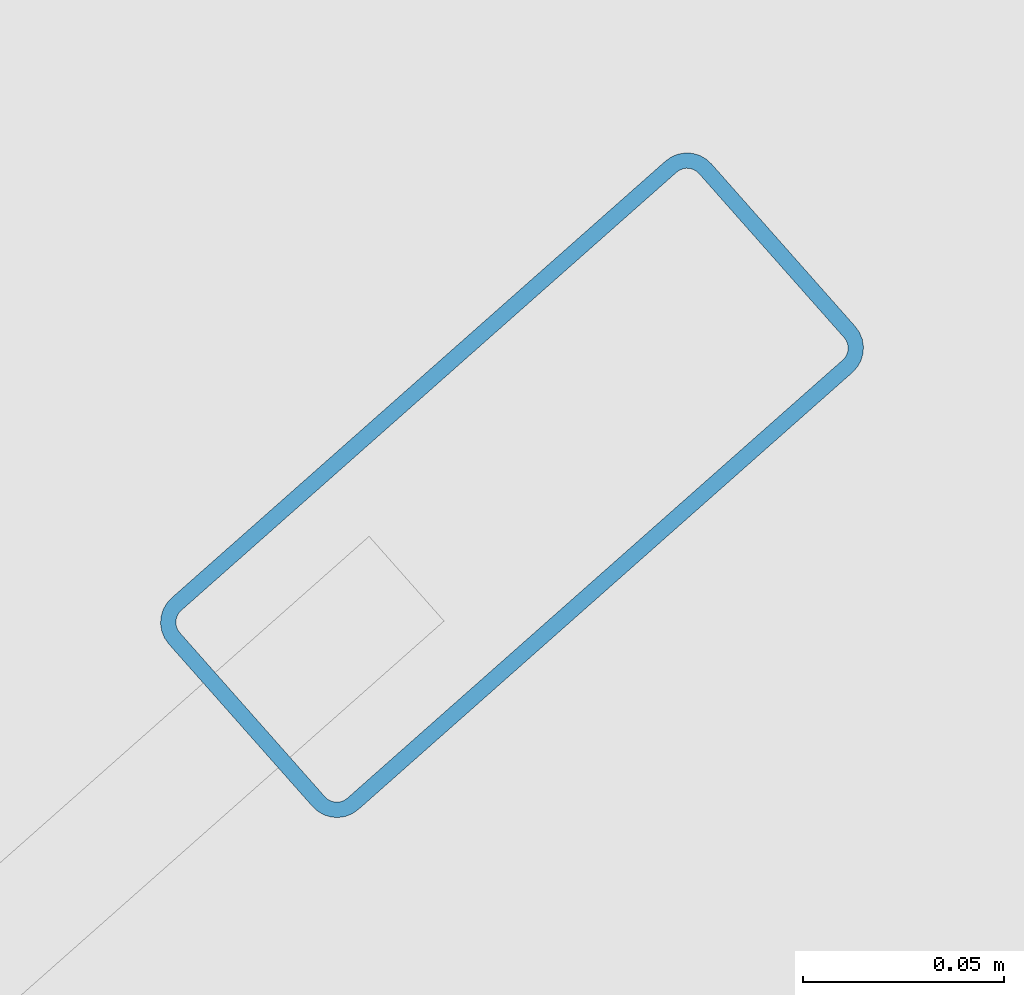
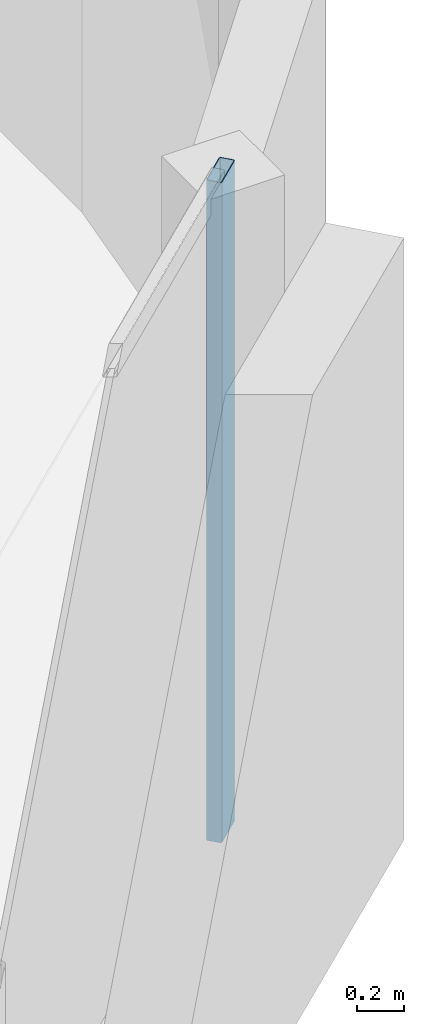
# One storey, part 4 of 17: 1 member, 1 element without a shape of its own.
"""IFC4 building model written with IfcOpenShell, lengths in metres."""

from ifc_helpers import new_model, si_unit, direction, frame, origin, origin_2d, place, context, subcontext, project, spatial, hollow_rectangle, extrude, material, layer, layer_set, material_profile, profile_set, type_object, element, aggregate, save


model = new_model("IFC4")

# Units and contexts
model_context = context("Model", 3, precision=1e-05, world=origin(), true_north=direction((0.0, 1.0)))
body_context = subcontext(model_context, "Body", "Model", "MODEL_VIEW")
ifc_project = project(units=[si_unit("LENGTHUNIT", "METRE"), si_unit("AREAUNIT", "SQUARE_METRE"), si_unit("VOLUMEUNIT", "CUBIC_METRE"), si_unit("PLANEANGLEUNIT", "RADIAN"), si_unit("MASSUNIT", "GRAM", prefix="KILO")], contexts=[model_context])

# Site, building, storey
site_placement = place(None, origin())
site = spatial("IfcSite", under=ifc_project, at=site_placement, CompositionType="ELEMENT")
building_placement = place(site_placement, origin())
building = spatial("IfcBuilding", under=site, at=building_placement, Name="An Khanh Terracotta Commons", CompositionType="ELEMENT")
storey_placement = place(building_placement, frame((0.0, 0.0, 36.0)))
storey = spatial("IfcBuildingStorey", under=building, at=storey_placement, Name="L09", CompositionType="ELEMENT", Elevation=36.0)

# Curtain wall, member
ifc_material = material(Name="Anodised Aluminium 6063-T6", Category="aluminium")
ifc_layer = layer(ifc_material, 0.199951171875, Name="Anodised Aluminium 6063-T6")
ifc_layer_set = layer_set([ifc_layer], Name="Anodised Aluminium 6063-T6")
curtain_wall_type = type_object("IfcCurtainWallType", Name="CW-SYS-02", PredefinedType="USERDEFINED", material=ifc_layer_set)
curtain_wall_placement = place(storey_placement, origin())
curtain_wall = element("IfcCurtainWall", 1, at=curtain_wall_placement, inside=storey, type_object=curtain_wall_type, Name="L09 CW-02 Unitised Curtain Wall CW-L09-08", ObjectType="UNITISED CURTAIN WALL", PredefinedType="USERDEFINED")
ifc_material_profile = material_profile(ifc_material, hollow_rectangle(XDim=0.070068359375, YDim=0.179931640625, WallThickness=0.00390625, InnerFilletRadius=0.00390625, OuterFilletRadius=0.008056640625, at=origin_2d()), Name="RHS180x70x4")
ifc_profile_set = profile_set([ifc_material_profile], Name="Anodised Aluminium 6063-T6")
member_type = type_object("IfcMemberType", Name="CWM-RHS180x70x4", PredefinedType="MULLION", material=ifc_profile_set)
member_placement = place(storey_placement, frame((49.683837890625, 9.704833984375, 0.0), z_axis=(0.0, 0.0, 1.0), x_axis=(-0.662548195415, 0.749019284633, 0.0)))
member = element("IfcMember", 2, at=member_placement, type_object=member_type, Name="CW-02 mullion 4", PredefinedType="MULLION", context=body_context, shape_type="SweptSolid", body=[
    extrude(hollow_rectangle(XDim=0.070068359375, YDim=0.179931640625, WallThickness=0.00390625, InnerFilletRadius=0.00390625, OuterFilletRadius=0.008056640625, at=origin_2d()), origin(), (0.0, 0.0, 1.0), 3.39990234375),
])
aggregate(curtain_wall, [member])

save(model, "model.ifc")
